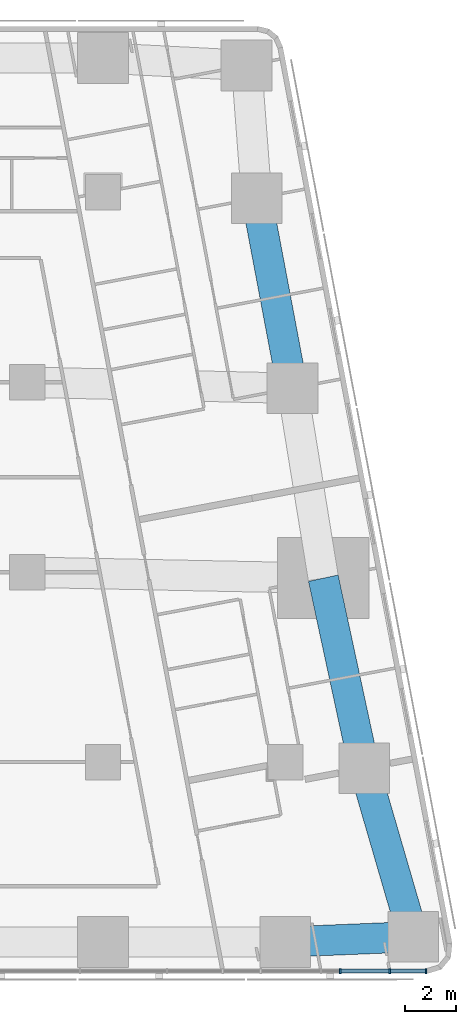
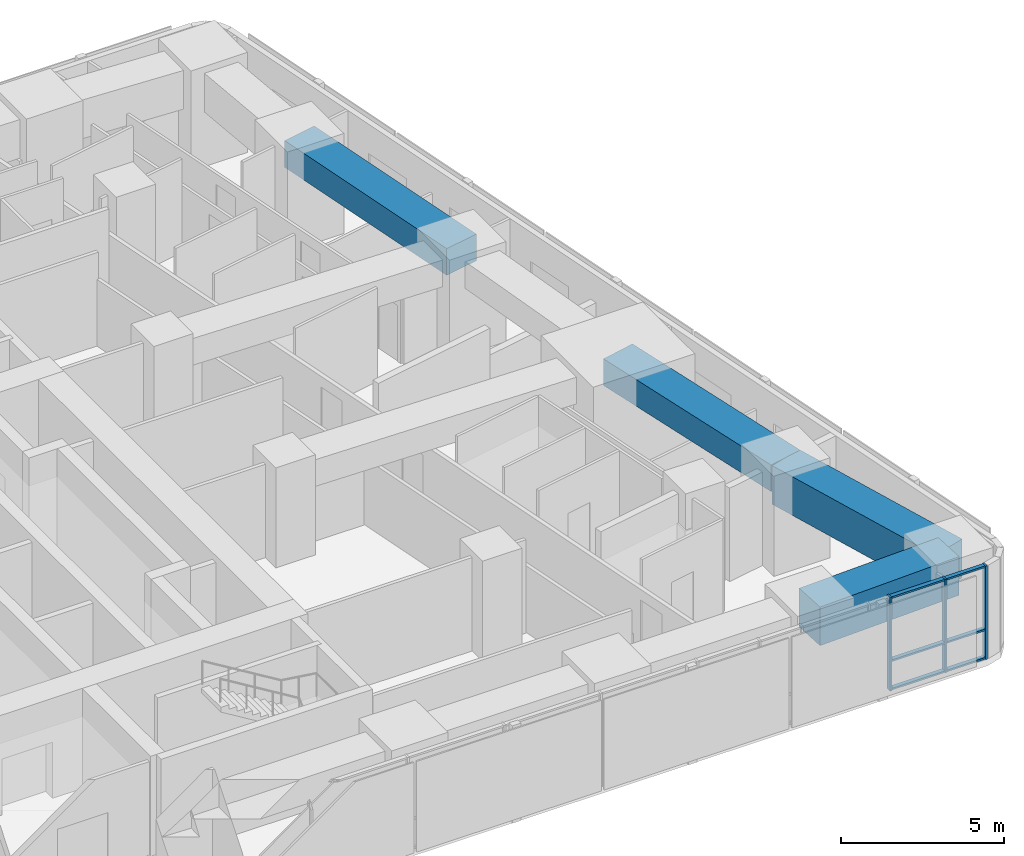
# One storey, part 3 of 11: 9 members, 4 beams, 1 element without a shape of its own.
"""IFC4 building model written with IfcOpenShell, lengths in metres."""

from ifc_helpers import new_model, si_unit, direction, frame, origin, origin_2d, place, context, subcontext, project, spatial, rectangle, extrude, material, material_profile, profile_set, type_object, element, aggregate, save


model = new_model("IFC4")

# Units and contexts
model_context = context("Model", 3, precision=1e-05, world=origin(), true_north=direction((0.0, 1.0)))
body_context = subcontext(model_context, "Body", "Model", "MODEL_VIEW")
ifc_project = project(units=[si_unit("LENGTHUNIT", "METRE"), si_unit("AREAUNIT", "SQUARE_METRE"), si_unit("VOLUMEUNIT", "CUBIC_METRE"), si_unit("PLANEANGLEUNIT", "RADIAN"), si_unit("MASSUNIT", "GRAM", prefix="KILO")], contexts=[model_context])

# Site, building, storey
site_placement = place(None, origin())
site = spatial("IfcSite", under=ifc_project, at=site_placement, CompositionType="ELEMENT")
building_placement = place(site_placement, origin())
building = spatial("IfcBuilding", under=site, at=building_placement, Name="Sheger Commons Tower", CompositionType="ELEMENT")
storey_placement = place(building_placement, frame((0.0, 0.0, 262.85009765625)))
storey = spatial("IfcBuildingStorey", under=building, at=storey_placement, Name="L67", CompositionType="ELEMENT", Elevation=262.85009765625)

# Curtain wall, members
ifc_material_1 = material(Name="Black aluminium curtain wall, dark tinted glazing", Category="aluminium")
curtain_wall_type = type_object("IfcCurtainWallType", Name="CURTAIN WALL CW5 SOUTH GALLERY", PredefinedType="USERDEFINED", material=ifc_material_1)
curtain_wall_placement = place(storey_placement, origin())
curtain_wall = element("IfcCurtainWall", 1, at=curtain_wall_placement, inside=storey, type_object=curtain_wall_type, Name="Curtain Wall Cw5 South Gallery S1 L67", ObjectType="UNITISED CURTAIN WALL", PredefinedType="USERDEFINED")
ifc_material_2 = material(Name="Black anodised aluminium", Category="aluminium")
ifc_material_profile_1 = material_profile(ifc_material_2, rectangle(XDim=0.199951171875, YDim=0.06494140625, at=origin_2d()), Name="AL 65x200")
ifc_profile_set_1 = profile_set([ifc_material_profile_1], Name="Black anodised aluminium")
member_type_1 = type_object("IfcMemberType", Name="MULLION AL 65x200", PredefinedType="MULLION", material=ifc_profile_set_1)
member_1_placement = place(storey_placement, frame((45.364990234375, 6.75, 0.0), z_axis=(0.0, 0.0, 1.0), x_axis=(0.0, 1.0, 0.0)))
member_1 = element("IfcMember", 2, at=member_1_placement, type_object=member_type_1, Name="CW5 mullion 12", PredefinedType="MULLION", context=body_context, shape_type="SweptSolid", body=[
    extrude(rectangle(XDim=0.199951171875, YDim=0.06494140625, at=origin_2d()), origin(), (0.0, 0.0, 1.0), 3.5),
])
member_2_placement = place(storey_placement, frame((47.319091796875, 6.75, 0.0), z_axis=(0.0, 0.0, 1.0), x_axis=(0.0, 1.0, 0.0)))
member_2 = element("IfcMember", 3, at=member_2_placement, type_object=member_type_1, Name="CW5 mullion 13", PredefinedType="MULLION", context=body_context, shape_type="SweptSolid", body=[
    extrude(rectangle(XDim=0.199951171875, YDim=0.06494140625, at=origin_2d()), origin(), (0.0, 0.0, 1.0), 3.5),
])
member_3_placement = place(storey_placement, frame((48.75439453125, 6.75, 0.0), z_axis=(0.0, 0.0, 1.0), x_axis=(0.0, 1.0, 0.0)))
member_3 = element("IfcMember", 4, at=member_3_placement, type_object=member_type_1, Name="CW5 mullion 14", PredefinedType="MULLION", context=body_context, shape_type="SweptSolid", body=[
    extrude(rectangle(XDim=0.199951171875, YDim=0.06494140625, at=origin_2d()), origin(), (0.0, 0.0, 1.0), 3.5),
])

# Beams
ifc_material_3 = material(Name="Concrete C50/60", Category="concrete")
ifc_material_profile_2 = material_profile(ifc_material_3, rectangle(XDim=1.199951171875, YDim=1.0, at=origin_2d()), Name="RC 1200x1000")
ifc_profile_set_2 = profile_set([ifc_material_profile_2], Name="Concrete C50/60")
beam_type_1 = type_object("IfcBeamType", Name="SPANDREL RC 1200x1000", PredefinedType="SPANDREL", material=ifc_profile_set_2)
beam_1_placement = place(storey_placement, frame((46.31396484375, 14.762939453125, 3.0), z_axis=(-0.210750229323, 0.977539943348, 0.0), x_axis=(-0.977539943348, -0.210750229323, 0.0)))
element("IfcBeam", 5, at=beam_1_placement, inside=storey, type_object=beam_type_1, Name="Beam E/C-E/D under L68", PredefinedType="SPANDREL", context=body_context, shape_type="SweptSolid", body=[
    extrude(rectangle(XDim=1.199951171875, YDim=1.0, at=origin_2d()), origin(), (0.0, 0.0, 1.0), 7.67236328125),
])
beam_2_placement = place(storey_placement, frame((43.47998046875, 29.762939453125, 3.0), z_axis=(-0.18552441405, 0.982639655108, 0.0), x_axis=(-0.982639655108, -0.18552441405, 0.0)))
element("IfcBeam", 6, at=beam_2_placement, inside=storey, type_object=beam_type_1, Name="Beam E/E-E/F under L68", PredefinedType="SPANDREL", context=body_context, shape_type="SweptSolid", body=[
    extrude(rectangle(XDim=1.199951171875, YDim=1.0, at=origin_2d()), origin(), (0.0, 0.0, 1.0), 7.632568359375),
])
ifc_material_4 = material(Name="Concrete C50/60", Category="concrete")
ifc_material_profile_3 = material_profile(ifc_material_4, rectangle(XDim=1.199951171875, YDim=1.449951171875, at=origin_2d()), Name="RC 1200x1450")
ifc_profile_set_3 = profile_set([ifc_material_profile_3], Name="Concrete C50/60")
beam_type_2 = type_object("IfcBeamType", Name="SPANDREL RC 1200x1450", PredefinedType="SPANDREL", material=ifc_profile_set_3)
beam_3_placement = place(storey_placement, frame((43.199951171875, 7.89990234375, 2.77490234375), z_axis=(0.999161374218, 0.040945674641, 0.0), x_axis=(-0.040945674641, 0.999161374218, 0.0)))
element("IfcBeam", 7, at=beam_3_placement, inside=storey, type_object=beam_type_2, Name="Beam 7/B-E/B under L68", PredefinedType="SPANDREL", context=body_context, shape_type="SweptSolid", body=[
    extrude(rectangle(XDim=1.199951171875, YDim=1.449951171875, at=origin_2d()), origin(), (0.0, 0.0, 1.0), 5.05615234375),
])
beam_4_placement = place(storey_placement, frame((48.251953125, 8.10693359375, 2.77490234375), z_axis=(-0.279555048455, 0.960129665662, 0.0), x_axis=(-0.960129665662, -0.279555048455, 0.0)))
element("IfcBeam", 8, at=beam_4_placement, inside=storey, type_object=beam_type_2, Name="Beam E/B-E/C under L68", PredefinedType="SPANDREL", context=body_context, shape_type="SweptSolid", body=[
    extrude(rectangle(XDim=1.199951171875, YDim=1.449951171875, at=origin_2d()), origin(), (0.0, 0.0, 1.0), 6.932373046875),
])

# Member
ifc_material_5 = material(Name="Black anodised aluminium", Category="aluminium")
ifc_material_profile_4 = material_profile(ifc_material_5, rectangle(XDim=0.14990234375, YDim=0.06494140625, at=origin_2d()), Name="AL 65x150")
ifc_profile_set_4 = profile_set([ifc_material_profile_4], Name="Black anodised aluminium")
member_type_2 = type_object("IfcMemberType", Name="TRANSOM AL 65x150", PredefinedType="USERDEFINED", material=ifc_profile_set_4)
member_4_placement = place(storey_placement, frame((45.3974609375, 6.75, 0.032470703125), z_axis=(1.0, 0.0, 0.0), x_axis=(0.0, 1.0, 0.0)))
member_4 = element("IfcMember", 9, at=member_4_placement, type_object=member_type_2, Name="CW5 transom 12.1", ObjectType="TRANSOM", PredefinedType="USERDEFINED", context=body_context, shape_type="SweptSolid", body=[
    extrude(rectangle(XDim=0.14990234375, YDim=0.06494140625, at=origin_2d()), origin(), (0.0, 0.0, 1.0), 1.88916015625),
])

member_5_placement = place(storey_placement, frame((45.3974609375, 6.75, 1.099853515625), z_axis=(1.0, 0.0, 0.0), x_axis=(0.0, 1.0, 0.0)))
member_5 = element("IfcMember", 10, at=member_5_placement, type_object=member_type_2, Name="CW5 transom 12.2", ObjectType="TRANSOM", PredefinedType="USERDEFINED", context=body_context, shape_type="SweptSolid", body=[
    extrude(rectangle(XDim=0.14990234375, YDim=0.06494140625, at=origin_2d()), origin(), (0.0, 0.0, 1.0), 1.88916015625),
])

member_6_placement = place(storey_placement, frame((45.3974609375, 6.75, 3.46728515625), z_axis=(1.0, 0.0, 0.0), x_axis=(0.0, 1.0, 0.0)))
member_6 = element("IfcMember", 11, at=member_6_placement, type_object=member_type_2, Name="CW5 transom 12.3", ObjectType="TRANSOM", PredefinedType="USERDEFINED", context=body_context, shape_type="SweptSolid", body=[
    extrude(rectangle(XDim=0.14990234375, YDim=0.06494140625, at=origin_2d()), origin(), (0.0, 0.0, 1.0), 1.88916015625),
])

member_7_placement = place(storey_placement, frame((47.3515625, 6.75, 0.032470703125), z_axis=(1.0, 0.0, 0.0), x_axis=(0.0, 1.0, 0.0)))
member_7 = element("IfcMember", 12, at=member_7_placement, type_object=member_type_2, Name="CW5 transom 13.1", ObjectType="TRANSOM", PredefinedType="USERDEFINED", context=body_context, shape_type="SweptSolid", body=[
    extrude(rectangle(XDim=0.14990234375, YDim=0.06494140625, at=origin_2d()), origin(), (0.0, 0.0, 1.0), 1.370361328125),
])

member_8_placement = place(storey_placement, frame((47.3515625, 6.75, 1.099853515625), z_axis=(1.0, 0.0, 0.0), x_axis=(0.0, 1.0, 0.0)))
member_8 = element("IfcMember", 13, at=member_8_placement, type_object=member_type_2, Name="CW5 transom 13.2", ObjectType="TRANSOM", PredefinedType="USERDEFINED", context=body_context, shape_type="SweptSolid", body=[
    extrude(rectangle(XDim=0.14990234375, YDim=0.06494140625, at=origin_2d()), origin(), (0.0, 0.0, 1.0), 1.370361328125),
])

member_9_placement = place(storey_placement, frame((47.3515625, 6.75, 3.46728515625), z_axis=(1.0, 0.0, 0.0), x_axis=(0.0, 1.0, 0.0)))
member_9 = element("IfcMember", 14, at=member_9_placement, type_object=member_type_2, Name="CW5 transom 13.3", ObjectType="TRANSOM", PredefinedType="USERDEFINED", context=body_context, shape_type="SweptSolid", body=[
    extrude(rectangle(XDim=0.14990234375, YDim=0.06494140625, at=origin_2d()), origin(), (0.0, 0.0, 1.0), 1.370361328125),
])

aggregate(curtain_wall, [member_1, member_2, member_3, member_4, member_5, member_6, member_7, member_8, member_9])

save(model, "model.ifc")
